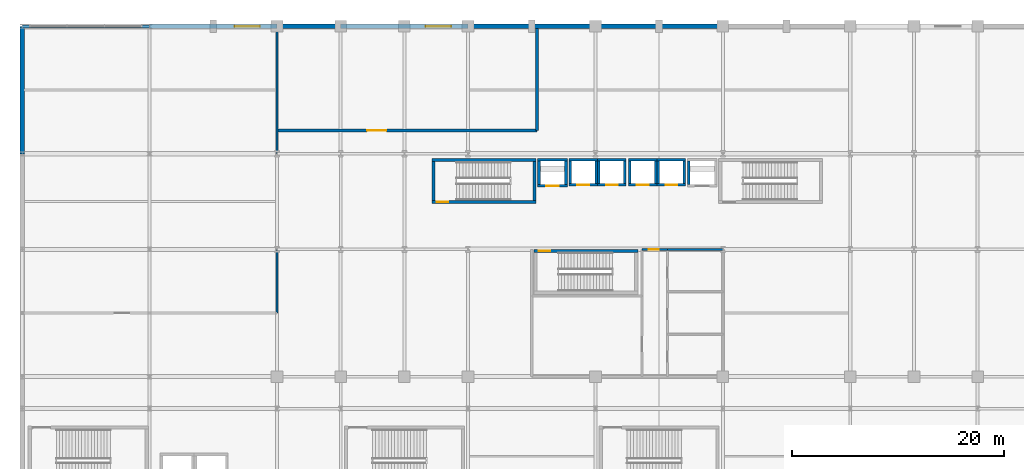
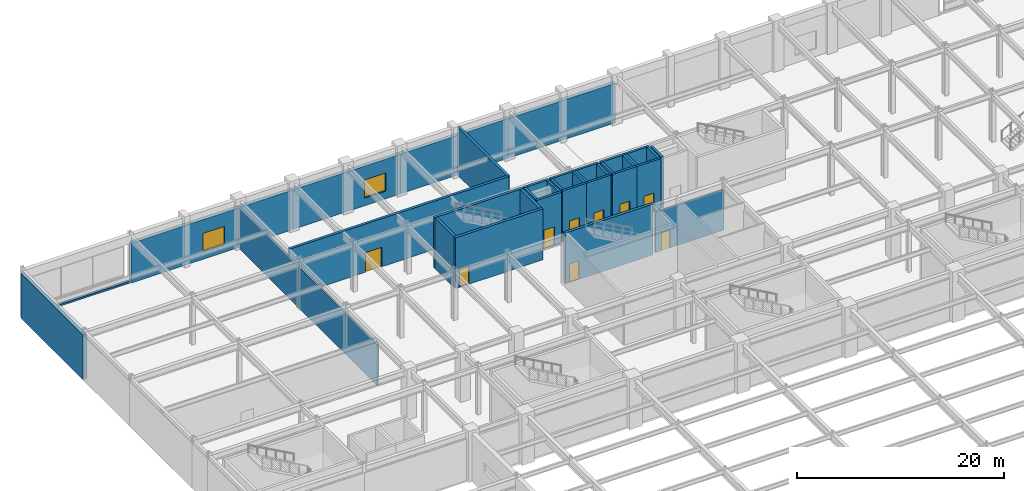
# One storey, part 87 of 105: 38 walls, 9 doors, 2 windows, 11 openings.
"""IFC4 building model written with IfcOpenShell, lengths in metres."""

from ifc_helpers import new_model, si_unit, direction, frame, frame_2d, origin, place, context, subcontext, project, spatial, rectangle, extrude, material, layer, layer_set, type_object, element, fill, save


model = new_model("IFC4")

# Units and contexts
model_context = context("Model", 3, precision=1e-05, world=origin(), true_north=direction((0.0, 1.0)))
body_context = subcontext(model_context, "Body", "Model", "MODEL_VIEW")
ifc_project = project(units=[si_unit("LENGTHUNIT", "METRE"), si_unit("AREAUNIT", "SQUARE_METRE"), si_unit("VOLUMEUNIT", "CUBIC_METRE"), si_unit("PLANEANGLEUNIT", "RADIAN"), si_unit("MASSUNIT", "GRAM", prefix="KILO")], contexts=[model_context])

# Site, building, storey
site_placement = place(None, origin())
site = spatial("IfcSite", under=ifc_project, at=site_placement, CompositionType="ELEMENT")
building_placement = place(site_placement, origin())
building = spatial("IfcBuilding", under=site, at=building_placement, Name="Kaldorvane Square Convention Centre", CompositionType="ELEMENT")
storey_placement = place(building_placement, frame((0.0, 0.0, 6.0)))
storey = spatial("IfcBuildingStorey", under=building, at=storey_placement, Name="L01", CompositionType="ELEMENT", Elevation=6.0)

# Wall, opening, door
ifc_material_1 = material(Name="Reinforced Concrete Masonry Acoustic Partition", Category="masonry")
ifc_layer_1 = layer(ifc_material_1, 0.279998779296875)
ifc_layer_set_1 = layer_set([ifc_layer_1], Name="Reinforced Concrete Masonry Acoustic Partition")
wall_type_1 = type_object("IfcWallType", Name="WL-ACO-280", PredefinedType="PARTITIONING", material=ifc_layer_set_1)
wall_1_placement = place(storey_placement, frame((24.0, 107.19999694824219, 0.0), z_axis=(0.0, 0.0, 1.0), x_axis=(1.0, 0.0, 0.0)))
wall_1 = element("IfcWall", 1, at=wall_1_placement, inside=storey, type_object=wall_type_1, Name="Hotel All-Day Dining Brasserie S Wall", PredefinedType="PARTITIONING", context=body_context, shape_type="SweptSolid", body=[
    extrude(rectangle(XDim=24.5, YDim=0.279998779296875, at=frame_2d((12.25, 0.0))), origin(), (0.0, 0.0, 1.0), 5.67999267578125),
])
opening_1_placement = place(wall_1_placement, frame((8.5, 0.0, 0.0)))
opening_1 = element("IfcOpeningElement", 2, at=opening_1_placement, cuts=wall_1, Name="Opening ID-15", PredefinedType="OPENING", context=body_context, shape_type="SweptSolid", body=[
    extrude(rectangle(XDim=1.8000030517578125, YDim=2.3000030517578125, at=frame_2d((0.899993896484375, 1.149993896484375))), frame((0.0, 0.154998779296875, 0.0), z_axis=(0.0, -1.0, 0.0), x_axis=(1.0, 0.0, 0.0)), (0.0, 0.0, 1.0), 0.30999755859375),
])
ifc_material_2 = material(Name="Acoustic Laminated Glass in Aluminum Frame", Category="aluminium")
door_type_1 = type_object("IfcDoorType", Name="DR-GL-1800X2300", OperationType="DOUBLE_DOOR_SINGLE_SWING", PredefinedType="DOOR", material=ifc_material_2)
door_1_placement = place(opening_1_placement, origin())
door_1 = element("IfcDoor", 3, at=door_1_placement, inside=storey, type_object=door_type_1, Name="Hotel All-Day Dining Brasserie Door 1", OperationType="DOUBLE_DOOR_SINGLE_SWING", OverallHeight=2.3000030517578125, OverallWidth=1.8000030517578125, PredefinedType="DOOR", context=body_context, shape_type="SweptSolid", body=[
    extrude(rectangle(XDim=1.8000030517578125, YDim=2.3000030517578125, at=frame_2d((0.899993896484375, 1.149993896484375))), frame((0.0, 0.024993896484375, 0.0), z_axis=(0.0, -1.0, 0.0), x_axis=(1.0, 0.0, 0.0)), (0.0, 0.0, 1.0), 0.0500030517578125),
])
fill(opening_1, door_1)

# Wall
wall_2_placement = place(storey_placement, frame((48.5, 107.19999694824219, 0.0), z_axis=(0.0, 0.0, 1.0), x_axis=(0.0, 1.0, 0.0)))
element("IfcWall", 4, at=wall_2_placement, inside=storey, type_object=wall_type_1, Name="Hotel All-Day Dining Brasserie E Wall", PredefinedType="PARTITIONING", context=body_context, shape_type="SweptSolid", body=[
    extrude(rectangle(XDim=9.595001220703125, YDim=0.279998779296875, at=frame_2d((4.7975006103515625, 0.0))), origin(), (0.0, 0.0, 1.0), 5.67999267578125),
])

# Wall, opening, door
ifc_material_3 = material(Name="Fire-Rated Gypsum Board on Acoustic Steel Studs", Category="steel")
ifc_layer_2 = layer(ifc_material_3, 0.1999969482421875)
ifc_layer_set_2 = layer_set([ifc_layer_2], Name="Fire-Rated Gypsum Board on Acoustic Steel Studs")
wall_type_2 = type_object("IfcWallType", Name="WL-CORR-200", PredefinedType="PARTITIONING", material=ifc_layer_set_2)
wall_3_placement = place(storey_placement, frame((58.399993896484375, 96.0, 0.0), z_axis=(0.0, 0.0, 1.0), x_axis=(1.0, 0.0, 0.0)))
wall_3 = element("IfcWall", 5, at=wall_3_placement, inside=storey, type_object=wall_type_2, Name="Restroom Vestibule Entry Header (L01)", PredefinedType="PARTITIONING", context=body_context, shape_type="SweptSolid", body=[
    extrude(rectangle(XDim=2.4000091552734375, YDim=0.1999969482421875, at=frame_2d((1.20001220703125, 0.0))), origin(), (0.0, 0.0, 1.0), 4.748992919921875),
])
opening_2_placement = place(wall_3_placement, frame((0.625, 0.0, 0.0)))
opening_2 = element("IfcOpeningElement", 6, at=opening_2_placement, cuts=wall_3, Name="Opening ID-13", PredefinedType="OPENING", context=body_context, shape_type="SweptSolid", body=[
    extrude(rectangle(XDim=0.9499969482421875, YDim=2.149993896484375, at=frame_2d((0.475006103515625, 1.0749969482421875))), frame((0.0, 0.114990234375, 0.0), z_axis=(0.0, -1.0, 0.0), x_axis=(1.0, 0.0, 0.0)), (0.0, 0.0, 1.0), 0.2299957275390625),
])
ifc_material_4 = material(Name="Architectural Solid-Core White Oak")
door_type_2 = type_object("IfcDoorType", Name="DR-WC-0950X2150", OperationType="SINGLE_SWING_LEFT", PredefinedType="DOOR", material=ifc_material_4)
door_2_placement = place(opening_2_placement, origin())
door_2 = element("IfcDoor", 7, at=door_2_placement, inside=storey, type_object=door_type_2, Name="Restroom Vestibule Door (L01)", OperationType="SINGLE_SWING_LEFT", OverallHeight=2.149993896484375, OverallWidth=0.9499969482421875, PredefinedType="DOOR", context=body_context, shape_type="SweptSolid", body=[
    extrude(rectangle(XDim=0.9499969482421875, YDim=2.149993896484375, at=frame_2d((0.475006103515625, 1.0749969482421875))), frame((0.0, 0.024993896484375, 0.0), z_axis=(0.0, -1.0, 0.0), x_axis=(1.0, 0.0, 0.0)), (0.0, 0.0, 1.0), 0.0500030517578125),
])
fill(opening_2, door_2)

# Walls
wall_4_placement = place(storey_placement, frame((60.80000305175781, 96.0, 0.0), z_axis=(0.0, 0.0, 1.0), x_axis=(1.0, 0.0, 0.0)))
element("IfcWall", 8, at=wall_4_placement, inside=storey, type_object=wall_type_2, Name="Restroom North Wall (L01)", PredefinedType="PARTITIONING", context=body_context, shape_type="SweptSolid", body=[
    extrude(rectangle(XDim=5.1999969482421875, YDim=0.1999969482421875, at=frame_2d((2.600006103515625, 0.0))), origin(), (0.0, 0.0, 1.0), 4.748992919921875),
])
wall_5_placement = place(storey_placement, frame((24.0, 90.0, 0.0), z_axis=(0.0, 0.0, 1.0), x_axis=(0.0, 1.0, 0.0)))
element("IfcWall", 9, at=wall_5_placement, inside=storey, type_object=wall_type_2, Name="Brasserie Catering Kitchen E Wall", PredefinedType="PARTITIONING", context=body_context, shape_type="SweptSolid", body=[
    extrude(rectangle(XDim=26.794998168945312, YDim=0.1999969482421875, at=frame_2d((13.397491455078125, 0.0))), origin(), (0.0, 0.0, 1.0), 4.8300018310546875),
])

# Wall, opening, window
ifc_material_5 = material(Name="Concrete f'c = 42 MPa (Normalweight)", Category="concrete")
ifc_layer_3 = layer(ifc_material_5, 0.410003662109375)
ifc_layer_set_3 = layer_set([ifc_layer_3], Name="Concrete f'c = 42 MPa (Normalweight)")
wall_type_3 = type_object("IfcWallType", Name="WL-EXT-410", PredefinedType="STANDARD", material=ifc_layer_set_3)
wall_6_placement = place(storey_placement, frame((24.0, 117.0, 0.0), z_axis=(0.0, 0.0, 1.0), x_axis=(-1.0, 0.0, 0.0)))
wall_6 = element("IfcWall", 10, at=wall_6_placement, inside=storey, type_object=wall_type_3, Name="North Square Brutalist Facade Wall (L01)", PredefinedType="STANDARD", context=body_context, shape_type="SweptSolid", body=[
    extrude(rectangle(XDim=12.0, YDim=0.410003662109375, at=frame_2d((6.0, 0.0))), origin(), (0.0, 0.0, 1.0), 4.675994873046875),
])
opening_3_placement = place(wall_6_placement, frame((1.600006103515625, 0.0, 0.899993896484375)))
opening_3 = element("IfcOpeningElement", 11, at=opening_3_placement, cuts=wall_6, Name="Opening W-19", PredefinedType="OPENING", context=body_context, shape_type="SweptSolid", body=[
    extrude(rectangle(XDim=2.399993896484375, YDim=2.149993896484375, at=frame_2d((1.1999969482421875, 1.0749969482421875))), frame((0.0, 0.220001220703125, 0.0), z_axis=(0.0, -1.0, 0.0), x_axis=(1.0, 0.0, 0.0)), (0.0, 0.0, 1.0), 0.44000244140625),
])
ifc_material_6 = material(Name="Anodized Aluminum and Low-E Insulated Glazing", Category="aluminium")
window_type = type_object("IfcWindowType", Name="WN-POD-2400X2150", PartitioningType="DOUBLE_PANEL_VERTICAL", PredefinedType="WINDOW", material=ifc_material_6)
window_1_placement = place(opening_3_placement, origin())
window_1 = element("IfcWindow", 12, at=window_1_placement, inside=storey, type_object=window_type, Name="North Facade Window (L01)", OverallHeight=2.149993896484375, OverallWidth=2.399993896484375, PartitioningType="DOUBLE_PANEL_VERTICAL", PredefinedType="WINDOW", context=body_context, shape_type="SweptSolid", body=[
    extrude(rectangle(XDim=2.399993896484375, YDim=2.149993896484375, at=frame_2d((1.1999969482421875, 1.0749969482421875))), frame((0.0, 0.029998779296875, 0.0), z_axis=(0.0, -1.0, 0.0), x_axis=(1.0, 0.0, 0.0)), (0.0, 0.0, 1.0), 0.05999755859375),
])
fill(opening_3, window_1)

# Wall
wall_7_placement = place(storey_placement, frame((30.0, 117.0, 0.0), z_axis=(0.0, 0.0, 1.0), x_axis=(-1.0, 0.0, 0.0)))
element("IfcWall", 13, at=wall_7_placement, inside=storey, type_object=wall_type_3, Name="North Square Brutalist Facade Wall (L01)", PredefinedType="STANDARD", context=body_context, shape_type="SweptSolid", body=[
    extrude(rectangle(XDim=6.0, YDim=0.410003662109375, at=frame_2d((3.0, 0.0))), origin(), (0.0, 0.0, 1.0), 4.675994873046875),
])

# Wall, opening, window
wall_8_placement = place(storey_placement, frame((42.0, 117.0, 0.0), z_axis=(0.0, 0.0, 1.0), x_axis=(-1.0, 0.0, 0.0)))
wall_8 = element("IfcWall", 14, at=wall_8_placement, inside=storey, type_object=wall_type_3, Name="North Square Brutalist Facade Wall (L01)", PredefinedType="STANDARD", context=body_context, shape_type="SweptSolid", body=[
    extrude(rectangle(XDim=12.0, YDim=0.410003662109375, at=frame_2d((6.0, 0.0))), origin(), (0.0, 0.0, 1.0), 4.675994873046875),
])
opening_4_placement = place(wall_8_placement, frame((1.600006103515625, 0.0, 0.899993896484375)))
opening_4 = element("IfcOpeningElement", 15, at=opening_4_placement, cuts=wall_8, Name="Opening W-19", PredefinedType="OPENING", context=body_context, shape_type="SweptSolid", body=[
    extrude(rectangle(XDim=2.399993896484375, YDim=2.149993896484375, at=frame_2d((1.1999969482421875, 1.0749969482421875))), frame((0.0, 0.220001220703125, 0.0), z_axis=(0.0, -1.0, 0.0), x_axis=(1.0, 0.0, 0.0)), (0.0, 0.0, 1.0), 0.44000244140625),
])
window_2_placement = place(opening_4_placement, origin())
window_2 = element("IfcWindow", 16, at=window_2_placement, inside=storey, type_object=window_type, Name="North Facade Window (L01)", OverallHeight=2.149993896484375, OverallWidth=2.399993896484375, PartitioningType="DOUBLE_PANEL_VERTICAL", PredefinedType="WINDOW", context=body_context, shape_type="SweptSolid", body=[
    extrude(rectangle(XDim=2.399993896484375, YDim=2.149993896484375, at=frame_2d((1.1999969482421875, 1.0749969482421875))), frame((0.0, 0.029998779296875, 0.0), z_axis=(0.0, -1.0, 0.0), x_axis=(1.0, 0.0, 0.0)), (0.0, 0.0, 1.0), 0.05999755859375),
])
fill(opening_4, window_2)

# Walls
for number, where, z_axis, x_axis, name in (
    (17, (54.0, 117.0, 0.0), (0.0, 0.0, 1.0), (-1.0, 0.0, 0.0), "North Square Brutalist Facade Wall (L01)"),
    (18, (66.0, 117.0, 0.0), (0.0, 0.0, 1.0), (-1.0, 0.0, 0.0), "North Square Brutalist Facade Wall (L01)"),
):
    element("IfcWall", number, at=place(storey_placement, frame(where, z_axis=z_axis, x_axis=x_axis)), inside=storey, type_object=wall_type_3, Name=name, PredefinedType="STANDARD", context=body_context, shape_type="SweptSolid", body=[
        extrude(rectangle(XDim=12.0, YDim=0.410003662109375, at=frame_2d((6.0, 0.0))), origin(), (0.0, 0.0, 1.0), 4.675994873046875),
    ])
wall_9_placement = place(storey_placement, frame((0.0, 117.0, 0.0), z_axis=(0.0, 0.0, 1.0), x_axis=(0.0, -1.0, 0.0)))
element("IfcWall", 19, at=wall_9_placement, inside=storey, type_object=wall_type_3, Name="West Service Spine Wall (L01)", PredefinedType="STANDARD", context=body_context, shape_type="SweptSolid", body=[
    extrude(rectangle(XDim=12.0, YDim=0.410003662109375, at=frame_2d((6.0, 0.0))), origin(), (0.0, 0.0, 1.0), 5.2689971923828125),
])
ifc_material_7 = material(Name="Concrete f'c = 35 MPa (Normalweight)", Category="concrete")
ifc_layer_4 = layer(ifc_material_7, 0.279998779296875)
ifc_layer_set_4 = layer_set([ifc_layer_4], Name="Concrete f'c = 35 MPa (Normalweight)")
wall_type_4 = type_object("IfcWallType", Name="WL-PAR-280", PredefinedType="PARAPET", material=ifc_layer_set_4)
wall_10_placement = place(storey_placement, frame((12.0, 117.0, 0.0), z_axis=(0.0, 0.0, 1.0), x_axis=(-1.0, 0.0, 0.0)))
element("IfcWall", 20, at=wall_10_placement, inside=storey, type_object=wall_type_4, Name="North Curtain-Wall Sill Kerb (L01)", PredefinedType="PARAPET", context=body_context, shape_type="SweptSolid", body=[
    extrude(rectangle(XDim=12.0, YDim=0.279998779296875, at=frame_2d((6.0, 0.0))), origin(), (0.0, 0.0, 1.0), 0.1999969482421875),
])

# Wall, opening, door
ifc_material_8 = material(Name="Concrete f'c = 55 MPa (Normalweight)", Category="concrete")
ifc_layer_5 = layer(ifc_material_8, 0.3000030517578125)
ifc_layer_set_5 = layer_set([ifc_layer_5], Name="Concrete f'c = 55 MPa (Normalweight)")
wall_type_5 = type_object("IfcWallType", Name="WL-SHAFT-300", PredefinedType="SHEAR", material=ifc_layer_set_5)
wall_11_placement = place(storey_placement, frame((38.600006103515625, 100.46000671386719, 0.0), z_axis=(0.0, 0.0, 1.0), x_axis=(1.0, 0.0, 0.0)))
wall_11 = element("IfcWall", 21, at=wall_11_placement, inside=storey, type_object=wall_type_5, Name="Core Enclosure Wall stair:ST-T1-S (L01)", PredefinedType="SHEAR", context=body_context, shape_type="SweptSolid", body=[
    extrude(rectangle(XDim=9.79998779296875, YDim=0.3000030517578125, at=frame_2d((4.899993896484375, 0.0))), origin(), (0.0, 0.0, 1.0), 6.0),
])
opening_5_placement = place(wall_11_placement, frame((0.4499969482421875, 0.0, 0.0)))
opening_5 = element("IfcOpeningElement", 22, at=opening_5_placement, cuts=wall_11, Name="Opening FD90-S1", PredefinedType="OPENING", context=body_context, shape_type="SweptSolid", body=[
    extrude(rectangle(XDim=1.100006103515625, YDim=2.1999969482421875, at=frame_2d((0.5500030517578125, 1.100006103515625))), frame((0.0, 0.165008544921875, 0.0), z_axis=(0.0, -1.0, 0.0), x_axis=(1.0, 0.0, 0.0)), (0.0, 0.0, 1.0), 0.3300018310546875),
])
ifc_material_9 = material(Name="Fire-Rated Hollow Metal Steel", Category="steel")
door_type_3 = type_object("IfcDoorType", Name="DR-STAIR-1100", OperationType="SINGLE_SWING_RIGHT", PredefinedType="DOOR", material=ifc_material_9)
door_3_placement = place(opening_5_placement, origin())
door_3 = element("IfcDoor", 23, at=door_3_placement, inside=storey, type_object=door_type_3, Name="Tower Exit Stair T1 Fire Door (L01)", OperationType="SINGLE_SWING_RIGHT", OverallHeight=2.1999969482421875, OverallWidth=1.100006103515625, PredefinedType="DOOR", context=body_context, shape_type="SweptSolid", body=[
    extrude(rectangle(XDim=1.100006103515625, YDim=2.1999969482421875, at=frame_2d((0.5500030517578125, 1.100006103515625))), frame((0.0, 0.024993896484375, 0.0), z_axis=(0.0, -1.0, 0.0), x_axis=(1.0, 0.0, 0.0)), (0.0, 0.0, 1.0), 0.0500030517578125),
])
fill(opening_5, door_3)

# Walls
wall_12_placement = place(storey_placement, frame((48.399993896484375, 104.39999389648438, 0.0), z_axis=(0.0, 0.0, 1.0), x_axis=(-1.0, 0.0, 0.0)))
element("IfcWall", 24, at=wall_12_placement, inside=storey, type_object=wall_type_5, Name="Core Enclosure Wall stair:ST-T1-N (L01)", PredefinedType="SHEAR", context=body_context, shape_type="SweptSolid", body=[
    extrude(rectangle(XDim=9.79998779296875, YDim=0.3000030517578125, at=frame_2d((4.899993896484375, 0.0))), origin(), (0.0, 0.0, 1.0), 6.0),
])
for number, where, z_axis, x_axis, name in (
    (25, (38.75, 104.25, 0.0), (0.0, 0.0, 1.0), (0.0, -1.0, 0.0), "Core Enclosure Wall stair:ST-T1-W (L01)"),
    (26, (48.25, 100.61000061035156, 0.0), (0.0, 0.0, 1.0), (0.0, 1.0, 0.0), "Core Enclosure Wall stair:ST-T1-E (L01)"),
):
    element("IfcWall", number, at=place(storey_placement, frame(where, z_axis=z_axis, x_axis=x_axis)), inside=storey, type_object=wall_type_5, Name=name, PredefinedType="SHEAR", context=body_context, shape_type="SweptSolid", body=[
        extrude(rectangle(XDim=3.6399993896484375, YDim=0.3000030517578125, at=frame_2d((1.82000732421875, 0.0))), origin(), (0.0, 0.0, 1.0), 6.0),
    ])

# Wall, opening, door
wall_13_placement = place(storey_placement, frame((58.0, 95.85000610351562, 0.0), z_axis=(0.0, 0.0, 1.0), x_axis=(-1.0, 0.0, 0.0)))
wall_13 = element("IfcWall", 27, at=wall_13_placement, inside=storey, type_object=wall_type_5, Name="Core Enclosure Wall stair:ST-T3-N (L01)", PredefinedType="SHEAR", context=body_context, shape_type="SweptSolid", body=[
    extrude(rectangle(XDim=9.800003051757812, YDim=0.3000030517578125, at=frame_2d((4.899993896484375, 0.0))), origin(), (0.0, 0.0, 1.0), 6.0),
])
opening_6_placement = place(wall_13_placement, frame((8.25, 0.0, 0.0)))
opening_6 = element("IfcOpeningElement", 28, at=opening_6_placement, cuts=wall_13, Name="Opening FD90-S1", PredefinedType="OPENING", context=body_context, shape_type="SweptSolid", body=[
    extrude(rectangle(XDim=1.100006103515625, YDim=2.1999969482421875, at=frame_2d((0.5500030517578125, 1.100006103515625))), frame((0.0, 0.165008544921875, 0.0), z_axis=(0.0, -1.0, 0.0), x_axis=(1.0, 0.0, 0.0)), (0.0, 0.0, 1.0), 0.3300018310546875),
])
door_4_placement = place(opening_6_placement, origin())
door_4 = element("IfcDoor", 29, at=door_4_placement, inside=storey, type_object=door_type_3, Name="Tower Exit Stair T3 Fire Door (L01)", OperationType="SINGLE_SWING_RIGHT", OverallHeight=2.1999969482421875, OverallWidth=1.100006103515625, PredefinedType="DOOR", context=body_context, shape_type="SweptSolid", body=[
    extrude(rectangle(XDim=1.100006103515625, YDim=2.1999969482421875, at=frame_2d((0.5500030517578125, 1.100006103515625))), frame((0.0, 0.024993896484375, 0.0), z_axis=(0.0, -1.0, 0.0), x_axis=(1.0, 0.0, 0.0)), (0.0, 0.0, 1.0), 0.0500030517578125),
])
fill(opening_6, door_4)

wall_14_placement = place(storey_placement, frame((48.55000305175781, 101.97500610351562, 0.0), z_axis=(0.0, 0.0, 1.0), x_axis=(1.0, 0.0, 0.0)))
wall_14 = element("IfcWall", 30, at=wall_14_placement, inside=storey, type_object=wall_type_5, Name="Core Enclosure Wall lift:FSAE-01-S (L01)", PredefinedType="SHEAR", context=body_context, shape_type="SweptSolid", body=[
    extrude(rectangle(XDim=2.8000030517578125, YDim=0.25, at=frame_2d((1.399993896484375, 0.0))), origin(), (0.0, 0.0, 1.0), 6.0),
])
opening_7_placement = place(wall_14_placement, frame((0.8000030517578125, 0.0, 0.0)))
opening_7 = element("IfcOpeningElement", 31, at=opening_7_placement, cuts=wall_14, Name="Opening LD-02", PredefinedType="OPENING", context=body_context, shape_type="SweptSolid", body=[
    extrude(rectangle(XDim=1.1999969482421875, YDim=2.1999969482421875, at=frame_2d((0.600006103515625, 1.100006103515625))), frame((0.0, 0.1399993896484375, 0.0), z_axis=(0.0, -1.0, 0.0), x_axis=(1.0, 0.0, 0.0)), (0.0, 0.0, 1.0), 0.279998779296875),
])
ifc_material_10 = material(Name="Stainless Steel Elevator Door Assembly", Category="steel")
door_type_4 = type_object("IfcDoorType", Name="DR-LIFT-1200", OperationType="DOUBLE_DOOR_SLIDING", PredefinedType="DOOR", material=ifc_material_10)
door_5_placement = place(opening_7_placement, origin())
door_5 = element("IfcDoor", 32, at=door_5_placement, inside=storey, type_object=door_type_4, Name="Elevator Landing Door FSAE-01 (L01)", OperationType="DOUBLE_DOOR_SLIDING", OverallHeight=2.1999969482421875, OverallWidth=1.1999969482421875, PredefinedType="DOOR", context=body_context, shape_type="SweptSolid", body=[
    extrude(rectangle(XDim=1.1999969482421875, YDim=2.1999969482421875, at=frame_2d((0.600006103515625, 1.100006103515625))), frame((0.0, 0.024993896484375, 0.0), z_axis=(0.0, -1.0, 0.0), x_axis=(1.0, 0.0, 0.0)), (0.0, 0.0, 1.0), 0.0500030517578125),
])
fill(opening_7, door_5)

# Walls
wall_15_placement = place(storey_placement, frame((51.350006103515625, 104.42500305175781, 0.0), z_axis=(0.0, 0.0, 1.0), x_axis=(-1.0, 0.0, 0.0)))
element("IfcWall", 33, at=wall_15_placement, inside=storey, type_object=wall_type_5, Name="Core Enclosure Wall lift:FSAE-01-N (L01)", PredefinedType="SHEAR", context=body_context, shape_type="SweptSolid", body=[
    extrude(rectangle(XDim=2.8000030517578125, YDim=0.25, at=frame_2d((1.399993896484375, 0.0))), origin(), (0.0, 0.0, 1.0), 6.0),
])
for number, where, z_axis, x_axis, name in (
    (34, (48.67500305175781, 104.30000305175781, 0.0), (0.0, 0.0, 1.0), (0.0, -1.0, 0.0), "Core Enclosure Wall lift:FSAE-01-W (L01)"),
    (35, (51.225006103515625, 102.10000610351562, 0.0), (0.0, 0.0, 1.0), (0.0, 1.0, 0.0), "Core Enclosure Wall lift:FSAE-01-E (L01)"),
    (36, (62.774993896484375, 104.30000305175781, 0.0), (0.0, 0.0, 1.0), (0.0, -1.0, 0.0), "Core Enclosure Wall lift:FSAE-02-W (L01)"),
):
    element("IfcWall", number, at=place(storey_placement, frame(where, z_axis=z_axis, x_axis=x_axis)), inside=storey, type_object=wall_type_5, Name=name, PredefinedType="SHEAR", context=body_context, shape_type="SweptSolid", body=[
        extrude(rectangle(XDim=2.1999969482421875, YDim=0.25, at=frame_2d((1.100006103515625, 0.0))), origin(), (0.0, 0.0, 1.0), 6.0),
    ])

# Wall, opening, door
wall_16_placement = place(storey_placement, frame((51.5, 102.07499694824219, 0.0), z_axis=(0.0, 0.0, 1.0), x_axis=(1.0, 0.0, 0.0)))
wall_16 = element("IfcWall", 37, at=wall_16_placement, inside=storey, type_object=wall_type_5, Name="Core Enclosure Wall lift:EL-P1-S (L01)", PredefinedType="SHEAR", context=body_context, shape_type="SweptSolid", body=[
    extrude(rectangle(XDim=2.6999969482421875, YDim=0.25, at=frame_2d((1.350006103515625, 0.0))), origin(), (0.0, 0.0, 1.0), 6.0),
])
opening_8_placement = place(wall_16_placement, frame((0.8000030517578125, 0.0, 0.0)))
opening_8 = element("IfcOpeningElement", 38, at=opening_8_placement, cuts=wall_16, Name="Opening LD-01", PredefinedType="OPENING", context=body_context, shape_type="SweptSolid", body=[
    extrude(rectangle(XDim=1.100006103515625, YDim=2.1999969482421875, at=frame_2d((0.5500030517578125, 1.100006103515625))), frame((0.0, 0.1399993896484375, 0.0), z_axis=(0.0, -1.0, 0.0), x_axis=(1.0, 0.0, 0.0)), (0.0, 0.0, 1.0), 0.279998779296875),
])
door_type_5 = type_object("IfcDoorType", Name="DR-LIFT-1100", OperationType="DOUBLE_DOOR_SLIDING", PredefinedType="DOOR", material=ifc_material_10)
door_6_placement = place(opening_8_placement, origin())
door_6 = element("IfcDoor", 39, at=door_6_placement, inside=storey, type_object=door_type_5, Name="Elevator Landing Door EL-P1 (L01)", OperationType="DOUBLE_DOOR_SLIDING", OverallHeight=2.1999969482421875, OverallWidth=1.100006103515625, PredefinedType="DOOR", context=body_context, shape_type="SweptSolid", body=[
    extrude(rectangle(XDim=1.100006103515625, YDim=2.1999969482421875, at=frame_2d((0.5500030517578125, 1.100006103515625))), frame((0.0, 0.024993896484375, 0.0), z_axis=(0.0, -1.0, 0.0), x_axis=(1.0, 0.0, 0.0)), (0.0, 0.0, 1.0), 0.0500030517578125),
])
fill(opening_8, door_6)

# Walls
wall_17_placement = place(storey_placement, frame((54.19999694824219, 104.42500305175781, 0.0), z_axis=(0.0, 0.0, 1.0), x_axis=(-1.0, 0.0, 0.0)))
element("IfcWall", 40, at=wall_17_placement, inside=storey, type_object=wall_type_5, Name="Core Enclosure Wall lift:EL-P1-N (L01)", PredefinedType="SHEAR", context=body_context, shape_type="SweptSolid", body=[
    extrude(rectangle(XDim=2.6999969482421875, YDim=0.25, at=frame_2d((1.350006103515625, 0.0))), origin(), (0.0, 0.0, 1.0), 6.0),
])
for number, where, z_axis, x_axis, name in (
    (41, (51.625, 104.30000305175781, 0.0), (0.0, 0.0, 1.0), (0.0, -1.0, 0.0), "Core Enclosure Wall lift:EL-P1-W (L01)"),
    (42, (54.07499694824219, 102.19999694824219, 0.0), (0.0, 0.0, 1.0), (0.0, 1.0, 0.0), "Core Enclosure Wall lift:EL-P1-E (L01)"),
):
    element("IfcWall", number, at=place(storey_placement, frame(where, z_axis=z_axis, x_axis=x_axis)), inside=storey, type_object=wall_type_5, Name=name, PredefinedType="SHEAR", context=body_context, shape_type="SweptSolid", body=[
        extrude(rectangle(XDim=2.100006103515625, YDim=0.25, at=frame_2d((1.0500030517578125, 0.0))), origin(), (0.0, 0.0, 1.0), 6.0),
    ])

# Wall, opening, door
wall_18_placement = place(storey_placement, frame((54.19999694824219, 102.07499694824219, 0.0), z_axis=(0.0, 0.0, 1.0), x_axis=(1.0, 0.0, 0.0)))
wall_18 = element("IfcWall", 43, at=wall_18_placement, inside=storey, type_object=wall_type_5, Name="Core Enclosure Wall lift:EL-P2-S (L01)", PredefinedType="SHEAR", context=body_context, shape_type="SweptSolid", body=[
    extrude(rectangle(XDim=2.6999969482421875, YDim=0.25, at=frame_2d((1.350006103515625, 0.0))), origin(), (0.0, 0.0, 1.0), 6.0),
])
opening_9_placement = place(wall_18_placement, frame((0.8000030517578125, 0.0, 0.0)))
opening_9 = element("IfcOpeningElement", 44, at=opening_9_placement, cuts=wall_18, Name="Opening LD-01", PredefinedType="OPENING", context=body_context, shape_type="SweptSolid", body=[
    extrude(rectangle(XDim=1.100006103515625, YDim=2.1999969482421875, at=frame_2d((0.5500030517578125, 1.100006103515625))), frame((0.0, 0.1399993896484375, 0.0), z_axis=(0.0, -1.0, 0.0), x_axis=(1.0, 0.0, 0.0)), (0.0, 0.0, 1.0), 0.279998779296875),
])
door_7_placement = place(opening_9_placement, origin())
door_7 = element("IfcDoor", 45, at=door_7_placement, inside=storey, type_object=door_type_5, Name="Elevator Landing Door EL-P2 (L01)", OperationType="DOUBLE_DOOR_SLIDING", OverallHeight=2.1999969482421875, OverallWidth=1.100006103515625, PredefinedType="DOOR", context=body_context, shape_type="SweptSolid", body=[
    extrude(rectangle(XDim=1.100006103515625, YDim=2.1999969482421875, at=frame_2d((0.5500030517578125, 1.100006103515625))), frame((0.0, 0.024993896484375, 0.0), z_axis=(0.0, -1.0, 0.0), x_axis=(1.0, 0.0, 0.0)), (0.0, 0.0, 1.0), 0.0500030517578125),
])
fill(opening_9, door_7)

# Walls
wall_19_placement = place(storey_placement, frame((56.899993896484375, 104.42500305175781, 0.0), z_axis=(0.0, 0.0, 1.0), x_axis=(-1.0, 0.0, 0.0)))
element("IfcWall", 46, at=wall_19_placement, inside=storey, type_object=wall_type_5, Name="Core Enclosure Wall lift:EL-P2-N (L01)", PredefinedType="SHEAR", context=body_context, shape_type="SweptSolid", body=[
    extrude(rectangle(XDim=2.6999969482421875, YDim=0.25, at=frame_2d((1.350006103515625, 0.0))), origin(), (0.0, 0.0, 1.0), 6.0),
])
for number, where, z_axis, x_axis, name in (
    (47, (54.32499694824219, 104.30000305175781, 0.0), (0.0, 0.0, 1.0), (0.0, -1.0, 0.0), "Core Enclosure Wall lift:EL-P2-W (L01)"),
    (48, (56.774993896484375, 102.19999694824219, 0.0), (0.0, 0.0, 1.0), (0.0, 1.0, 0.0), "Core Enclosure Wall lift:EL-P2-E (L01)"),
):
    element("IfcWall", number, at=place(storey_placement, frame(where, z_axis=z_axis, x_axis=x_axis)), inside=storey, type_object=wall_type_5, Name=name, PredefinedType="SHEAR", context=body_context, shape_type="SweptSolid", body=[
        extrude(rectangle(XDim=2.100006103515625, YDim=0.25, at=frame_2d((1.0500030517578125, 0.0))), origin(), (0.0, 0.0, 1.0), 6.0),
    ])

# Wall, opening, door
wall_20_placement = place(storey_placement, frame((57.100006103515625, 102.07499694824219, 0.0), z_axis=(0.0, 0.0, 1.0), x_axis=(1.0, 0.0, 0.0)))
wall_20 = element("IfcWall", 49, at=wall_20_placement, inside=storey, type_object=wall_type_5, Name="Core Enclosure Wall lift:EL-P3-S (L01)", PredefinedType="SHEAR", context=body_context, shape_type="SweptSolid", body=[
    extrude(rectangle(XDim=2.6999969482421875, YDim=0.25, at=frame_2d((1.350006103515625, 0.0))), origin(), (0.0, 0.0, 1.0), 6.0),
])
opening_10_placement = place(wall_20_placement, frame((0.8000030517578125, 0.0, 0.0)))
opening_10 = element("IfcOpeningElement", 50, at=opening_10_placement, cuts=wall_20, Name="Opening LD-01", PredefinedType="OPENING", context=body_context, shape_type="SweptSolid", body=[
    extrude(rectangle(XDim=1.100006103515625, YDim=2.1999969482421875, at=frame_2d((0.5500030517578125, 1.100006103515625))), frame((0.0, 0.1399993896484375, 0.0), z_axis=(0.0, -1.0, 0.0), x_axis=(1.0, 0.0, 0.0)), (0.0, 0.0, 1.0), 0.279998779296875),
])
door_8_placement = place(opening_10_placement, origin())
door_8 = element("IfcDoor", 51, at=door_8_placement, inside=storey, type_object=door_type_5, Name="Elevator Landing Door EL-P3 (L01)", OperationType="DOUBLE_DOOR_SLIDING", OverallHeight=2.1999969482421875, OverallWidth=1.100006103515625, PredefinedType="DOOR", context=body_context, shape_type="SweptSolid", body=[
    extrude(rectangle(XDim=1.100006103515625, YDim=2.1999969482421875, at=frame_2d((0.5500030517578125, 1.100006103515625))), frame((0.0, 0.024993896484375, 0.0), z_axis=(0.0, -1.0, 0.0), x_axis=(1.0, 0.0, 0.0)), (0.0, 0.0, 1.0), 0.0500030517578125),
])
fill(opening_10, door_8)

# Walls
wall_21_placement = place(storey_placement, frame((59.80000305175781, 104.42500305175781, 0.0), z_axis=(0.0, 0.0, 1.0), x_axis=(-1.0, 0.0, 0.0)))
element("IfcWall", 52, at=wall_21_placement, inside=storey, type_object=wall_type_5, Name="Core Enclosure Wall lift:EL-P3-N (L01)", PredefinedType="SHEAR", context=body_context, shape_type="SweptSolid", body=[
    extrude(rectangle(XDim=2.6999969482421875, YDim=0.25, at=frame_2d((1.350006103515625, 0.0))), origin(), (0.0, 0.0, 1.0), 6.0),
])
for number, where, z_axis, x_axis, name in (
    (53, (57.225006103515625, 104.30000305175781, 0.0), (0.0, 0.0, 1.0), (0.0, -1.0, 0.0), "Core Enclosure Wall lift:EL-P3-W (L01)"),
    (54, (59.67500305175781, 102.19999694824219, 0.0), (0.0, 0.0, 1.0), (0.0, 1.0, 0.0), "Core Enclosure Wall lift:EL-P3-E (L01)"),
):
    element("IfcWall", number, at=place(storey_placement, frame(where, z_axis=z_axis, x_axis=x_axis)), inside=storey, type_object=wall_type_5, Name=name, PredefinedType="SHEAR", context=body_context, shape_type="SweptSolid", body=[
        extrude(rectangle(XDim=2.100006103515625, YDim=0.25, at=frame_2d((1.0500030517578125, 0.0))), origin(), (0.0, 0.0, 1.0), 6.0),
    ])

# Wall, opening, door
wall_22_placement = place(storey_placement, frame((59.80000305175781, 102.07499694824219, 0.0), z_axis=(0.0, 0.0, 1.0), x_axis=(1.0, 0.0, 0.0)))
wall_22 = element("IfcWall", 55, at=wall_22_placement, inside=storey, type_object=wall_type_5, Name="Core Enclosure Wall lift:EL-P4-S (L01)", PredefinedType="SHEAR", context=body_context, shape_type="SweptSolid", body=[
    extrude(rectangle(XDim=2.6999969482421875, YDim=0.25, at=frame_2d((1.350006103515625, 0.0))), origin(), (0.0, 0.0, 1.0), 6.0),
])
opening_11_placement = place(wall_22_placement, frame((0.8000030517578125, 0.0, 0.0)))
opening_11 = element("IfcOpeningElement", 56, at=opening_11_placement, cuts=wall_22, Name="Opening LD-01", PredefinedType="OPENING", context=body_context, shape_type="SweptSolid", body=[
    extrude(rectangle(XDim=1.100006103515625, YDim=2.1999969482421875, at=frame_2d((0.5500030517578125, 1.100006103515625))), frame((0.0, 0.1399993896484375, 0.0), z_axis=(0.0, -1.0, 0.0), x_axis=(1.0, 0.0, 0.0)), (0.0, 0.0, 1.0), 0.279998779296875),
])
door_9_placement = place(opening_11_placement, origin())
door_9 = element("IfcDoor", 57, at=door_9_placement, inside=storey, type_object=door_type_5, Name="Elevator Landing Door EL-P4 (L01)", OperationType="DOUBLE_DOOR_SLIDING", OverallHeight=2.1999969482421875, OverallWidth=1.100006103515625, PredefinedType="DOOR", context=body_context, shape_type="SweptSolid", body=[
    extrude(rectangle(XDim=1.100006103515625, YDim=2.1999969482421875, at=frame_2d((0.5500030517578125, 1.100006103515625))), frame((0.0, 0.024993896484375, 0.0), z_axis=(0.0, -1.0, 0.0), x_axis=(1.0, 0.0, 0.0)), (0.0, 0.0, 1.0), 0.0500030517578125),
])
fill(opening_11, door_9)

# Walls
wall_23_placement = place(storey_placement, frame((62.5, 104.42500305175781, 0.0), z_axis=(0.0, 0.0, 1.0), x_axis=(-1.0, 0.0, 0.0)))
element("IfcWall", 58, at=wall_23_placement, inside=storey, type_object=wall_type_5, Name="Core Enclosure Wall lift:EL-P4-N (L01)", PredefinedType="SHEAR", context=body_context, shape_type="SweptSolid", body=[
    extrude(rectangle(XDim=2.6999969482421875, YDim=0.25, at=frame_2d((1.350006103515625, 0.0))), origin(), (0.0, 0.0, 1.0), 6.0),
])
for number, where, z_axis, x_axis, name in (
    (59, (59.92500305175781, 104.30000305175781, 0.0), (0.0, 0.0, 1.0), (0.0, -1.0, 0.0), "Core Enclosure Wall lift:EL-P4-W (L01)"),
    (60, (62.375, 102.19999694824219, 0.0), (0.0, 0.0, 1.0), (0.0, 1.0, 0.0), "Core Enclosure Wall lift:EL-P4-E (L01)"),
):
    element("IfcWall", number, at=place(storey_placement, frame(where, z_axis=z_axis, x_axis=x_axis)), inside=storey, type_object=wall_type_5, Name=name, PredefinedType="SHEAR", context=body_context, shape_type="SweptSolid", body=[
        extrude(rectangle(XDim=2.100006103515625, YDim=0.25, at=frame_2d((1.0500030517578125, 0.0))), origin(), (0.0, 0.0, 1.0), 6.0),
    ])

save(model, "model.ifc")
